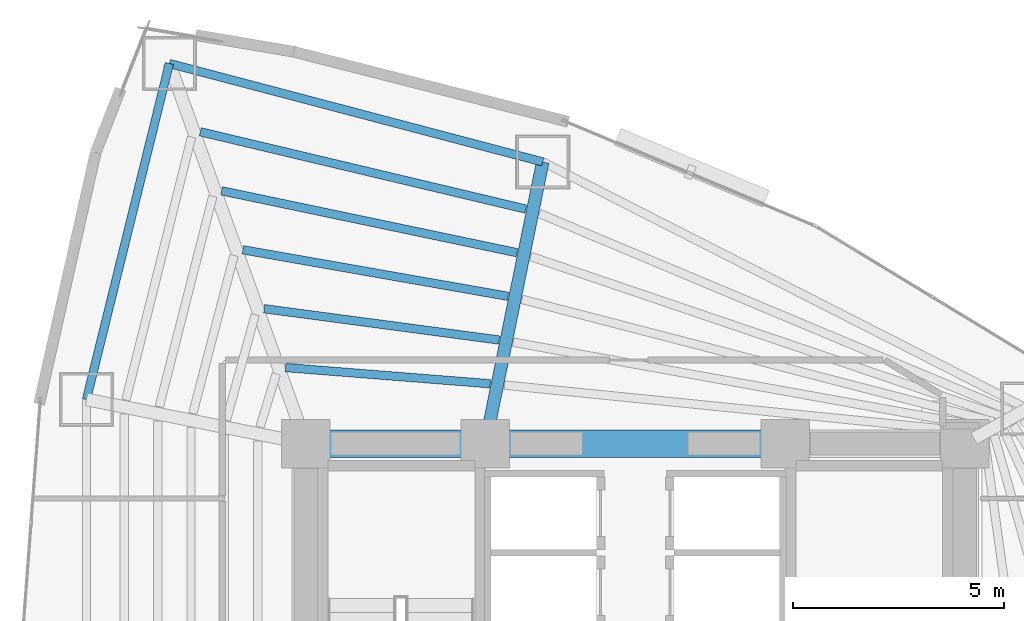
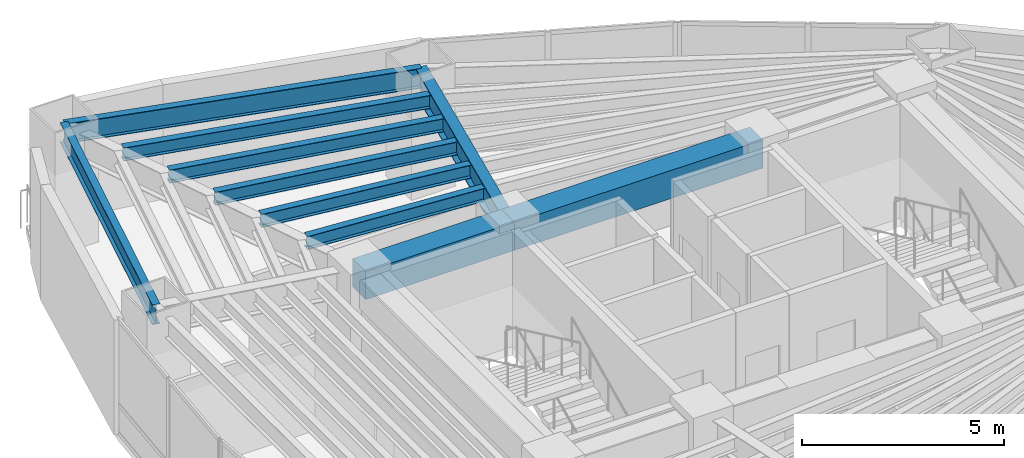
# One storey, part 8 of 18: 10 beams.
"""IFC4 building model written with IfcOpenShell, lengths in metres."""

from ifc_helpers import new_model, si_unit, direction, frame, origin, origin_2d, place, context, subcontext, project, spatial, rectangle, i_section, extrude, material, material_profile, profile_set, type_object, element, save


model = new_model("IFC4")

# Units and contexts
model_context = context("Model", 3, precision=1e-05, world=origin(), true_north=direction((0.0, 1.0)))
body_context = subcontext(model_context, "Body", "Model", "MODEL_VIEW")
ifc_project = project(units=[si_unit("LENGTHUNIT", "METRE"), si_unit("AREAUNIT", "SQUARE_METRE"), si_unit("VOLUMEUNIT", "CUBIC_METRE"), si_unit("PLANEANGLEUNIT", "RADIAN"), si_unit("MASSUNIT", "GRAM", prefix="KILO")], contexts=[model_context])

# Site, building, storey
site_placement = place(None, origin())
site = spatial("IfcSite", under=ifc_project, at=site_placement, CompositionType="ELEMENT")
building_placement = place(site_placement, origin())
building = spatial("IfcBuilding", under=site, at=building_placement, Name="Menara Vayukalpa", CompositionType="ELEMENT")
storey_placement = place(building_placement, frame((0.0, 0.0, 89.10009765625)))
storey = spatial("IfcBuildingStorey", under=building, at=storey_placement, Name="L21", CompositionType="ELEMENT", Elevation=89.10009765625)

# Beams
ifc_material_1 = material(Name="Concrete C60/75", Category="concrete")
ifc_material_profile_1 = material_profile(ifc_material_1, rectangle(XDim=0.64990234375, YDim=0.85009765625, at=origin_2d()), Name="RC 650x850")
ifc_profile_set_1 = profile_set([ifc_material_profile_1], Name="Concrete C60/75")
beam_type_1 = type_object("IfcBeamType", Name="BM-CB1", PredefinedType="BEAM", material=ifc_profile_set_1)
beam_1_placement = place(storey_placement, frame((17.800048828125, 26.800048828125, 3.044921875), z_axis=(1.0, 0.0, 0.0), x_axis=(0.0, 1.0, 0.0)))
element("IfcBeam", 1, at=beam_1_placement, inside=storey, type_object=beam_type_1, Name="L21 Core Tie Beam CBR4", PredefinedType="BEAM", context=body_context, shape_type="SweptSolid", body=[
    extrude(rectangle(XDim=0.64990234375, YDim=0.85009765625, at=origin_2d()), origin(), (0.0, 0.0, 1.0), 4.25),
])
beam_2_placement = place(storey_placement, frame((22.050048828125, 26.800048828125, 3.044921875), z_axis=(1.0, 0.0, 0.0), x_axis=(0.0, 1.0, 0.0)))
element("IfcBeam", 2, at=beam_2_placement, inside=storey, type_object=beam_type_1, Name="L21 Core Tie Beam CBR5", PredefinedType="BEAM", context=body_context, shape_type="SweptSolid", body=[
    extrude(rectangle(XDim=0.64990234375, YDim=0.85009765625, at=origin_2d()), origin(), (0.0, 0.0, 1.0), 7.099853515625),
])
ifc_material_2 = material(Name="Steel S355", Category="steel")
ifc_material_profile_2 = material_profile(ifc_material_2, i_section(OverallWidth=0.300048828125, OverallDepth=0.800048828125, WebThickness=0.013916015625, FlangeThickness=0.02587890625, at=origin_2d()), Name="WF 800x300x14x26")
ifc_profile_set_2 = profile_set([ifc_material_profile_2], Name="Steel S355")
beam_type_2 = type_object("IfcBeamType", Name="BM-PG3", PredefinedType="BEAM", material=ifc_profile_set_2)
beam_3_placement = place(storey_placement, frame((22.099853515625, 27.044921875, 3.06982421875), z_axis=(0.199617728418, 0.9798738503, 0.0), x_axis=(-0.9798738503, 0.199617728418, 0.0)))
element("IfcBeam", 3, at=beam_3_placement, inside=storey, type_object=beam_type_2, Name="L21 Primary Radial Girder RG03", PredefinedType="BEAM", context=body_context, shape_type="SweptSolid", body=[
    extrude(i_section(OverallWidth=0.300048828125, OverallDepth=0.800048828125, WebThickness=0.013916015625, FlangeThickness=0.02587890625, at=origin_2d()), origin(), (0.0, 0.0, 1.0), 6.55419921875),
])
ifc_material_3 = material(Name="Steel S355", Category="steel")
ifc_material_profile_3 = material_profile(ifc_material_3, i_section(OverallWidth=0.199951171875, OverallDepth=0.39990234375, WebThickness=0.008056640625, FlangeThickness=0.012939453125, at=origin_2d()), Name="WF 400x200x8x13")
ifc_profile_set_3 = profile_set([ifc_material_profile_3], Name="Steel S355")
beam_type_3 = type_object("IfcBeamType", Name="BM-SJ2", PredefinedType="JOIST", material=ifc_profile_set_3)
beam_4_placement = place(storey_placement, frame((22.166015625, 28.214599609375, 3.27001953125), z_axis=(-0.996868534468, 0.079076703187, 0.0), x_axis=(-0.079076703187, -0.996868534468, 0.0)))
element("IfcBeam", 4, at=beam_4_placement, inside=storey, type_object=beam_type_3, Name="L21 Secondary Floor Joist SJ03-1", PredefinedType="JOIST", context=body_context, shape_type="SweptSolid", body=[
    extrude(i_section(OverallWidth=0.199951171875, OverallDepth=0.39990234375, WebThickness=0.008056640625, FlangeThickness=0.012939453125, at=origin_2d()), origin(), (0.0, 0.0, 1.0), 4.862548828125),
])
beam_5_placement = place(storey_placement, frame((22.376220703125, 29.251220703125, 3.27001953125), z_axis=(-0.991248408809, 0.132009817941, 0.0), x_axis=(-0.132009817941, -0.991248408809, 0.0)))
element("IfcBeam", 5, at=beam_5_placement, inside=storey, type_object=beam_type_3, Name="L21 Secondary Floor Joist SJ03-2", PredefinedType="JOIST", context=body_context, shape_type="SweptSolid", body=[
    extrude(i_section(OverallWidth=0.199951171875, OverallDepth=0.39990234375, WebThickness=0.008056640625, FlangeThickness=0.012939453125, at=origin_2d()), origin(), (0.0, 0.0, 1.0), 5.611083984375),
])
beam_6_placement = place(storey_placement, frame((22.586669921875, 30.28564453125, 3.27001953125), z_axis=(-0.984953935883, 0.172817083033, 0.0), x_axis=(-0.172817083033, -0.984953935883, 0.0)))
element("IfcBeam", 6, at=beam_6_placement, inside=storey, type_object=beam_type_3, Name="L21 Secondary Floor Joist SJ03-3", PredefinedType="JOIST", context=body_context, shape_type="SweptSolid", body=[
    extrude(i_section(OverallWidth=0.199951171875, OverallDepth=0.39990234375, WebThickness=0.008056640625, FlangeThickness=0.012939453125, at=origin_2d()), origin(), (0.0, 0.0, 1.0), 6.372802734375),
])
beam_7_placement = place(storey_placement, frame((22.797119140625, 31.318603515625, 3.27001953125), z_axis=(-0.978749487369, 0.205059603471, 0.0), x_axis=(-0.205059603471, -0.978749487369, 0.0)))
element("IfcBeam", 7, at=beam_7_placement, inside=storey, type_object=beam_type_3, Name="L21 Secondary Floor Joist SJ03-4", PredefinedType="JOIST", context=body_context, shape_type="SweptSolid", body=[
    extrude(i_section(OverallWidth=0.199951171875, OverallDepth=0.39990234375, WebThickness=0.008056640625, FlangeThickness=0.012939453125, at=origin_2d()), origin(), (0.0, 0.0, 1.0), 7.1435546875),
])
beam_8_placement = place(storey_placement, frame((23.00732421875, 32.3505859375, 3.27001953125), z_axis=(-0.97293603101, 0.231074619036, 0.0), x_axis=(-0.231074619036, -0.97293603101, 0.0)))
element("IfcBeam", 8, at=beam_8_placement, inside=storey, type_object=beam_type_3, Name="L21 Secondary Floor Joist SJ03-5", PredefinedType="JOIST", context=body_context, shape_type="SweptSolid", body=[
    extrude(i_section(OverallWidth=0.199951171875, OverallDepth=0.39990234375, WebThickness=0.008056640625, FlangeThickness=0.012939453125, at=origin_2d()), origin(), (0.0, 0.0, 1.0), 7.9208984375),
])
ifc_material_4 = material(Name="Steel S355", Category="steel")
ifc_material_profile_4 = material_profile(ifc_material_4, i_section(OverallWidth=0.199951171875, OverallDepth=0.60009765625, WebThickness=0.010986328125, FlangeThickness=0.01708984375, at=origin_2d()), Name="WF 600x200x11x17")
ifc_profile_set_4 = profile_set([ifc_material_profile_4], Name="Steel S355")
beam_type_4 = type_object("IfcBeamType", Name="BM-SP1", PredefinedType="SPANDREL", material=ifc_profile_set_4)
beam_9_placement = place(storey_placement, frame((23.408203125, 33.46728515625, 3.169921875), z_axis=(-0.966966857313, 0.254902131921, 0.0), x_axis=(-0.254902131921, -0.966966857313, 0.0)))
element("IfcBeam", 9, at=beam_9_placement, inside=storey, type_object=beam_type_4, Name="L21 Perimeter Spandrel Beam SP03", PredefinedType="SPANDREL", context=body_context, shape_type="SweptSolid", body=[
    extrude(i_section(OverallWidth=0.199951171875, OverallDepth=0.60009765625, WebThickness=0.010986328125, FlangeThickness=0.01708984375, at=origin_2d()), origin(), (0.0, 0.0, 1.0), 9.14111328125),
])
beam_10_placement = place(storey_placement, frame((14.569091796875, 35.79736328125, 3.169921875), z_axis=(-0.239602739234, -0.970871014786, 0.0), x_axis=(0.970871014786, -0.239602739234, 0.0)))
element("IfcBeam", 10, at=beam_10_placement, inside=storey, type_object=beam_type_4, Name="L21 Perimeter Spandrel Beam SP04", PredefinedType="SPANDREL", context=body_context, shape_type="SweptSolid", body=[
    extrude(i_section(OverallWidth=0.199951171875, OverallDepth=0.60009765625, WebThickness=0.010986328125, FlangeThickness=0.01708984375, at=origin_2d()), origin(), (0.0, 0.0, 1.0), 8.190185546875),
])

save(model, "model.ifc")
